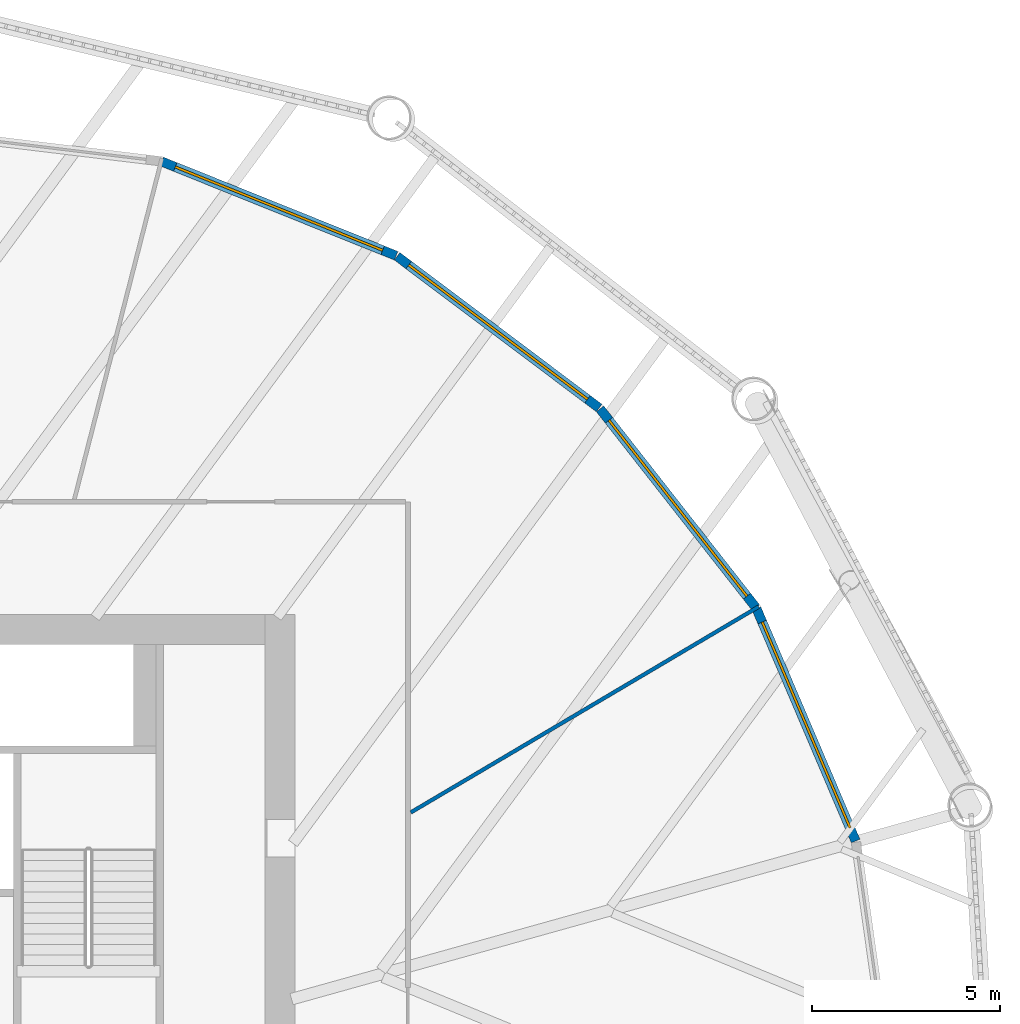
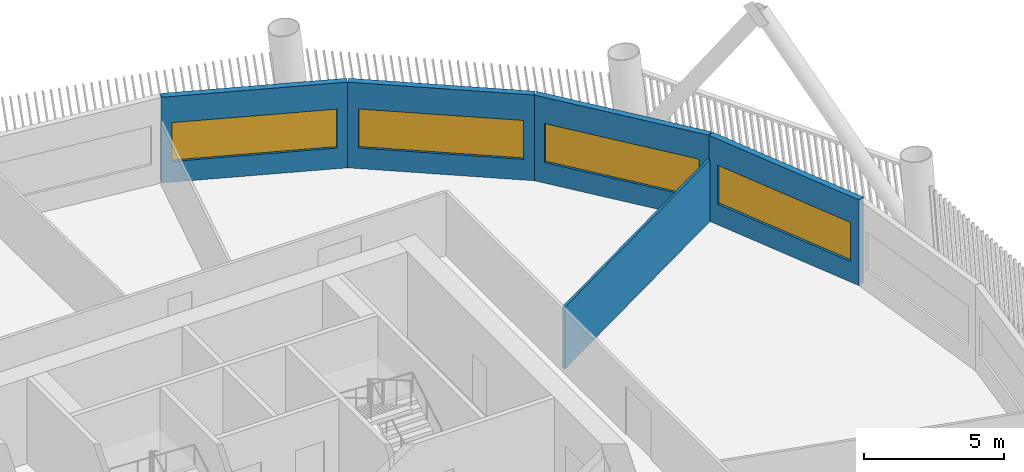
# One storey, part 8 of 23: 5 walls, 4 windows, 4 openings.
"""IFC4 building model written with IfcOpenShell, lengths in metres."""

import ifcopenshell
import ifcopenshell.guid

model = None  # the IFC model being written
_history = None  # IfcOwnerHistory: only IFC2X3 demands one
_inside = {}  # id of a spatial element -> (the spatial element, [elements in it])
_under = {}  # id of a project, library or spatial element -> (it, [spatial elements below it])
_declared = {}  # id of a project -> (the project, [libraries it declares])
_typed = {}  # id of a type object -> (the type object, [elements of that type])
_made_of = {}  # id of a material, layer set ... -> (it, [elements and type objects made of it])


def new_model(schema):
    """Start an empty IFC model of exactly this schema.

    Asked for "IFC4X3", IfcOpenShell would pick the latest addendum, in which some entities
    have other attributes; the version numbers below select the first issue.
    IFC2X3 requires an IfcOwnerHistory on every rooted entity: one is made here for all.
    """
    global model, _history
    if schema == "IFC4X3":
        model = ifcopenshell.file(schema_version=(4, 3, 0, 0))
    else:
        model = ifcopenshell.file(schema=schema)
    _inside.clear()
    _under.clear()
    _declared.clear()
    _typed.clear()
    _made_of.clear()
    _history = None
    if model.schema == "IFC2X3":
        org = make("IfcOrganization", Name="unknown")
        user = make(
            "IfcPersonAndOrganization",
            ThePerson=make("IfcPerson", FamilyName="unknown"),
            TheOrganization=org,
        )
        app = make(
            "IfcApplication",
            ApplicationDeveloper=org,
            Version="unknown",
            ApplicationFullName="unknown",
            ApplicationIdentifier="unknown",
        )
        _history = make(
            "IfcOwnerHistory",
            OwningUser=user,
            OwningApplication=app,
            ChangeAction="ADDED",
            CreationDate=0,
        )
    return model


def make(cls, **values):
    """One entity of the class cls with the attributes given. An attribute that is None is left unset."""
    return model.create_entity(
        cls, **{name: value for name, value in values.items() if value is not None}
    )


def rooted(cls, **values):
    """An entity with a GlobalId (a new one), such as an element, a storey or a relation."""
    return make(cls, GlobalId=ifcopenshell.guid.new(), OwnerHistory=_history, **values)


def si_unit(unit_type, name, prefix=None):
    """IfcSIUnit, for example si_unit("LENGTHUNIT", "METRE", prefix="MILLI")."""
    return make("IfcSIUnit", UnitType=unit_type, Prefix=prefix, Name=name)


def assignment(units):
    """IfcUnitAssignment: the units of a project."""
    return None if units is None else make("IfcUnitAssignment", Units=units)


def point(xyz):
    """IfcCartesianPoint."""
    return None if xyz is None else make("IfcCartesianPoint", Coordinates=xyz)


def direction(xyz):
    """IfcDirection."""
    return None if xyz is None else make("IfcDirection", DirectionRatios=xyz)


def frame(location, z_axis=None, x_axis=None):
    """IfcAxis2Placement3D, a coordinate frame: its origin and axes. An axis left out is left unset."""
    return make(
        "IfcAxis2Placement3D",
        Location=point(location),
        Axis=direction(z_axis),
        RefDirection=direction(x_axis),
    )


def frame_2d(location, x_axis=None):
    """IfcAxis2Placement2D, a coordinate frame in the plane: its origin and x axis."""
    return make(
        "IfcAxis2Placement2D", Location=point(location), RefDirection=direction(x_axis)
    )


def origin():
    """The frame at (0, 0, 0) with its axes left unset."""
    return frame((0.0, 0.0, 0.0))


def place(relative_to, where):
    """IfcLocalPlacement: puts the frame where relative to a parent placement (None: the world)."""
    return make(
        "IfcLocalPlacement", PlacementRelTo=relative_to, RelativePlacement=where
    )


def context(
    kind, dimensions, precision=None, world=None, true_north=None, identifier=None
):
    """IfcGeometricRepresentationContext, for example the 3D "Model" context."""
    return make(
        "IfcGeometricRepresentationContext",
        ContextIdentifier=identifier,
        ContextType=kind,
        CoordinateSpaceDimension=dimensions,
        Precision=precision,
        WorldCoordinateSystem=world,
        TrueNorth=true_north,
    )


def subcontext(parent, identifier, kind, view, scale=None):
    """IfcGeometricRepresentationSubContext, for example "Body" below "Model"."""
    return make(
        "IfcGeometricRepresentationSubContext",
        ContextIdentifier=identifier,
        ContextType=kind,
        ParentContext=parent,
        TargetScale=scale,
        TargetView=view,
    )


def project(units=None, contexts=None):
    """IfcProject with its units and contexts."""
    return rooted(
        "IfcProject",
        Name="project",
        RepresentationContexts=contexts,
        UnitsInContext=assignment(units),
    )


def spatial(cls, under=None, at=None, **own):
    """A site, building, storey or space (cls), placed at a placement, below another one or the project."""
    s = rooted(cls, ObjectPlacement=at, **own)
    if under is not None:
        _under.setdefault(under.id(), (under, []))[1].append(s)
    return s


def profile(cls, at=None, kind="AREA", **sizes):
    """A parametric profile (cls). Its sizes go by their IFC names, for example OverallWidth=200.0."""
    return make(cls, ProfileType=kind, Position=at, **sizes)


def rectangle(**sizes):
    """IfcRectangleProfileDef."""
    return profile("IfcRectangleProfileDef", **sizes)


def extrude(swept, where, along, depth):
    """IfcExtrudedAreaSolid: the profile swept, set in the frame where, extruded along a direction by depth."""
    return make(
        "IfcExtrudedAreaSolid",
        SweptArea=swept,
        Position=where,
        ExtrudedDirection=direction(along),
        Depth=depth,
    )


def shape(context_of_items, identifier, shape_type, items):
    """IfcShapeRepresentation: the items that make up one representation, for example the "Body"."""
    return make(
        "IfcShapeRepresentation",
        ContextOfItems=context_of_items,
        RepresentationIdentifier=identifier,
        RepresentationType=shape_type,
        Items=items,
    )


def material(Name=None, Category=None):
    """IfcMaterial."""
    return make("IfcMaterial", Name=Name, Category=Category)


def layer(
    of_material, thickness, ventilated=None, Name=None, Category=None, Priority=None
):
    """IfcMaterialLayer: one layer of a wall or slab, of a material (None: an air gap)."""
    return make(
        "IfcMaterialLayer",
        Material=of_material,
        LayerThickness=thickness,
        IsVentilated=ventilated,
        Name=Name,
        Category=Category,
        Priority=Priority,
    )


def layer_set(layers, Name=None):
    """IfcMaterialLayerSet."""
    return make("IfcMaterialLayerSet", MaterialLayers=layers, LayerSetName=Name)


def made_of(thing, what):
    """Note that an element or type object is made of a material, layer set ...; save() writes the relation."""
    if what is not None:
        _made_of.setdefault(what.id(), (what, []))[1].append(thing)
    return thing


def type_object(cls, material=None, **own):
    """A type object (cls), such as IfcWallType, which elements share."""
    return made_of(rooted(cls, **own), material)


def element(
    cls,
    number,
    at=None,
    inside=None,
    cuts=None,
    type_object=None,
    material=None,
    context=None,
    identifier="Body",
    shape_type=None,
    held_by="IfcProductDefinitionShape",
    body=None,
    shapes=None,
    **own,
):
    """One element of the class cls, such as IfcWall. Its Tag is "e" and its number.

    at: its placement. inside: the storey or other place that contains it. cuts: it is an
    opening in that element (IfcRelVoidsElement). A single representation is given by context,
    identifier, shape_type and body (its items); several are given by shapes. held_by: the class
    of the entity that holds the representations. save() writes the other relations.
    """
    e = rooted(cls, Tag="e%d" % number, ObjectPlacement=at, **own)
    if body is not None:
        shapes = [shape(context, identifier, shape_type, body)]
    if shapes is not None:
        e.Representation = make(held_by, Representations=shapes)
    if inside is not None:
        _inside.setdefault(inside.id(), (inside, []))[1].append(e)
    if cuts is not None:
        rooted(
            "IfcRelVoidsElement", RelatingBuildingElement=cuts, RelatedOpeningElement=e
        )
    if type_object is not None:
        _typed.setdefault(type_object.id(), (type_object, []))[1].append(e)
    return made_of(e, material)


def fill(opening, filler):
    """IfcRelFillsElement: the door or window that sits in an opening."""
    return rooted(
        "IfcRelFillsElement",
        RelatingOpeningElement=opening,
        RelatedBuildingElement=filler,
    )


def aggregate(whole, parts):
    """IfcRelAggregates: a whole, such as a stair, and the parts it consists of."""
    return rooted("IfcRelAggregates", RelatingObject=whole, RelatedObjects=parts)


def save(model, path):
    """Write the relations noted so far, then the file.

    IfcRelAggregates (storeys below a building ...), IfcRelContainedInSpatialStructure (elements
    in a storey), IfcRelDefinesByType, IfcRelAssociatesMaterial and IfcRelDeclares: one each for
    every whole, place, type object, material and project.
    """
    for whole, parts in _under.values():
        aggregate(whole, parts)
    for where, things in _inside.values():
        rooted(
            "IfcRelContainedInSpatialStructure",
            RelatedElements=things,
            RelatingStructure=where,
        )
    for kind, things in _typed.values():
        rooted("IfcRelDefinesByType", RelatedObjects=things, RelatingType=kind)
    for what, things in _made_of.values():
        rooted("IfcRelAssociatesMaterial", RelatedObjects=things, RelatingMaterial=what)
    for by, libraries in _declared.values():
        rooted("IfcRelDeclares", RelatingContext=by, RelatedDefinitions=libraries)
    model.write(path)


model = new_model("IFC4")

# Units and contexts
model_context = context("Model", 3, precision=1e-05, world=origin(), true_north=direction((0.0, 1.0)))
body_context = subcontext(model_context, "Body", "Model", "MODEL_VIEW")
ifc_project = project(units=[si_unit("LENGTHUNIT", "METRE"), si_unit("AREAUNIT", "SQUARE_METRE"), si_unit("VOLUMEUNIT", "CUBIC_METRE"), si_unit("PLANEANGLEUNIT", "RADIAN"), si_unit("MASSUNIT", "GRAM", prefix="KILO")], contexts=[model_context])

# Site, building, storey
site_placement = place(None, origin())
site = spatial("IfcSite", under=ifc_project, at=site_placement, CompositionType="ELEMENT")
building_placement = place(site_placement, origin())
building = spatial("IfcBuilding", under=site, at=building_placement, Name="Tarsis Ring Headquarters", CompositionType="ELEMENT")
storey_placement = place(building_placement, frame((0.0, 0.0, 124.0)))
storey = spatial("IfcBuildingStorey", under=building, at=storey_placement, Name="L28", CompositionType="ELEMENT", Elevation=124.0)

# Wall
ifc_material_1 = material(Name="Gypsum board on steel studs", Category="steel")
ifc_layer_1 = layer(ifc_material_1, 0.10009765625)
ifc_layer_set_1 = layer_set([ifc_layer_1], Name="FL partition 100 unrated")
wall_type_1 = type_object("IfcWallType", Name="FL partition 100 unrated", PredefinedType="PARTITIONING", material=ifc_layer_set_1)
wall_1_placement = place(storey_placement, frame((13.077392578125, 7.73388671875, 0.0), z_axis=(0.0, 0.0, 1.0), x_axis=(0.860742537154, 0.509040553133, 0.0)))
element("IfcWall", 1, at=wall_1_placement, inside=storey, type_object=wall_type_1, Name="Partition PW3", PredefinedType="PARTITIONING", context=body_context, shape_type="SweptSolid", body=[
    extrude(rectangle(XDim=10.7548828125, YDim=0.10009765625, at=frame_2d((5.37744140625, 0.0))), origin(), (0.0, 0.0, 1.0), 2.699951171875),
])

# Wall, opening, window
ifc_material_2 = material(Name="Terracotta clad insulated panel wall", Category="masonry")
ifc_layer_2 = layer(ifc_material_2, 0.25)
ifc_layer_set_2 = layer_set([ifc_layer_2], Name="Facade wall terracotta panel 250")
wall_type_2 = type_object("IfcWallType", Name="Facade wall terracotta panel 250", PredefinedType="STANDARD", material=ifc_layer_set_2)
wall_2_placement = place(storey_placement, frame((24.914306640625, 6.97314453125, 0.0), z_axis=(0.0, 0.0, 1.0), x_axis=(-0.392318635752, 0.919829379853, 0.0)))
wall_2 = element("IfcWall", 2, at=wall_2_placement, inside=storey, type_object=wall_type_2, Name="External wall L28-24", PredefinedType="STANDARD", context=body_context, shape_type="SweptSolid", body=[
    extrude(rectangle(XDim=6.721435546875, YDim=0.25, at=frame_2d((3.36083984375, 0.0))), origin(), (0.0, 0.0, 1.0), 3.739990234375),
])
opening_1_placement = place(wall_2_placement, frame((0.3857421875, 0.0, 0.89990234375)))
opening_1 = element("IfcOpeningElement", 3, at=opening_1_placement, cuts=wall_2, Name="Opening WN07", PredefinedType="OPENING", context=body_context, shape_type="SweptSolid", body=[
    extrude(rectangle(XDim=5.949951171875, YDim=1.699951171875, at=frame_2d((2.97509765625, 0.85009765625))), frame((0.0, 0.135009765625, 0.0), z_axis=(0.0, -1.0, 0.0), x_axis=(1.0, 0.0, 0.0)), (0.0, 0.0, 1.0), 0.27001953125),
])
ifc_material_3 = material(Name="Aluminium framed double glazing", Category="aluminium")
window_type = type_object("IfcWindowType", Name="Facade window 5950 x 1700", PartitioningType="SINGLE_PANEL", PredefinedType="WINDOW", material=ifc_material_3)
window_1_placement = place(opening_1_placement, origin())
window_1 = element("IfcWindow", 4, at=window_1_placement, inside=storey, type_object=window_type, Name="Window L28-24.1", OverallHeight=1.699951171875, OverallWidth=5.949951171875, PartitioningType="SINGLE_PANEL", PredefinedType="WINDOW", context=body_context, shape_type="SweptSolid", body=[
    extrude(rectangle(XDim=5.949951171875, YDim=1.699951171875, at=frame_2d((2.97509765625, 0.85009765625))), frame((0.0, 0.030029296875, 0.0), z_axis=(0.0, -1.0, 0.0), x_axis=(1.0, 0.0, 0.0)), (0.0, 0.0, 1.0), 0.06005859375),
])
fill(opening_1, window_1)

wall_3_placement = place(storey_placement, frame((22.260498046875, 13.183837890625, 0.0), z_axis=(0.0, 0.0, 1.0), x_axis=(-0.617023955027, 0.786944368379, 0.0)))
wall_3 = element("IfcWall", 5, at=wall_3_placement, inside=storey, type_object=wall_type_2, Name="External wall L28-25", PredefinedType="STANDARD", context=body_context, shape_type="SweptSolid", body=[
    extrude(rectangle(XDim=6.721435546875, YDim=0.25, at=frame_2d((3.36083984375, 0.0))), origin(), (0.0, 0.0, 1.0), 3.739990234375),
])
opening_2_placement = place(wall_3_placement, frame((0.3857421875, 0.0, 0.89990234375)))
opening_2 = element("IfcOpeningElement", 6, at=opening_2_placement, cuts=wall_3, Name="Opening WN07", PredefinedType="OPENING", context=body_context, shape_type="SweptSolid", body=[
    extrude(rectangle(XDim=5.949951171875, YDim=1.699951171875, at=frame_2d((2.97509765625, 0.85009765625))), frame((0.0, 0.135009765625, 0.0), z_axis=(0.0, -1.0, 0.0), x_axis=(1.0, 0.0, 0.0)), (0.0, 0.0, 1.0), 0.27001953125),
])
window_2_placement = place(opening_2_placement, origin())
window_2 = element("IfcWindow", 7, at=window_2_placement, inside=storey, type_object=window_type, Name="Window L28-25.1", OverallHeight=1.699951171875, OverallWidth=5.949951171875, PartitioningType="SINGLE_PANEL", PredefinedType="WINDOW", context=body_context, shape_type="SweptSolid", body=[
    extrude(rectangle(XDim=5.949951171875, YDim=1.699951171875, at=frame_2d((2.97509765625, 0.85009765625))), frame((0.0, 0.030029296875, 0.0), z_axis=(0.0, -1.0, 0.0), x_axis=(1.0, 0.0, 0.0)), (0.0, 0.0, 1.0), 0.06005859375),
])
fill(opening_2, window_2)

wall_4_placement = place(storey_placement, frame((18.08984375, 18.49609375, 0.0), z_axis=(0.0, 0.0, 1.0), x_axis=(-0.799686060282, 0.600418358306, 0.0)))
wall_4 = element("IfcWall", 8, at=wall_4_placement, inside=storey, type_object=wall_type_2, Name="External wall L28-26", PredefinedType="STANDARD", context=body_context, shape_type="SweptSolid", body=[
    extrude(rectangle(XDim=6.721435546875, YDim=0.25, at=frame_2d((3.36083984375, 0.0))), origin(), (0.0, 0.0, 1.0), 3.739990234375),
])
opening_3_placement = place(wall_4_placement, frame((0.3857421875, 0.0, 0.89990234375)))
opening_3 = element("IfcOpeningElement", 9, at=opening_3_placement, cuts=wall_4, Name="Opening WN07", PredefinedType="OPENING", context=body_context, shape_type="SweptSolid", body=[
    extrude(rectangle(XDim=5.949951171875, YDim=1.699951171875, at=frame_2d((2.97509765625, 0.85009765625))), frame((0.0, 0.135009765625, 0.0), z_axis=(0.0, -1.0, 0.0), x_axis=(1.0, 0.0, 0.0)), (0.0, 0.0, 1.0), 0.27001953125),
])
window_3_placement = place(opening_3_placement, origin())
window_3 = element("IfcWindow", 10, at=window_3_placement, inside=storey, type_object=window_type, Name="Window L28-26.1", OverallHeight=1.699951171875, OverallWidth=5.949951171875, PartitioningType="SINGLE_PANEL", PredefinedType="WINDOW", context=body_context, shape_type="SweptSolid", body=[
    extrude(rectangle(XDim=5.949951171875, YDim=1.699951171875, at=frame_2d((2.97509765625, 0.85009765625))), frame((0.0, 0.030029296875, 0.0), z_axis=(0.0, -1.0, 0.0), x_axis=(1.0, 0.0, 0.0)), (0.0, 0.0, 1.0), 0.06005859375),
])
fill(opening_3, window_3)

wall_5_placement = place(storey_placement, frame((12.686279296875, 22.5478515625, 0.0), z_axis=(0.0, 0.0, 1.0), x_axis=(-0.927831504262, 0.37299959745, 0.0)))
wall_5 = element("IfcWall", 11, at=wall_5_placement, inside=storey, type_object=wall_type_2, Name="External wall L28-27", PredefinedType="STANDARD", context=body_context, shape_type="SweptSolid", body=[
    extrude(rectangle(XDim=6.721435546875, YDim=0.25, at=frame_2d((3.36083984375, 0.0))), origin(), (0.0, 0.0, 1.0), 3.739990234375),
])
opening_4_placement = place(wall_5_placement, frame((0.3857421875, 0.0, 0.89990234375)))
opening_4 = element("IfcOpeningElement", 12, at=opening_4_placement, cuts=wall_5, Name="Opening WN07", PredefinedType="OPENING", context=body_context, shape_type="SweptSolid", body=[
    extrude(rectangle(XDim=5.949951171875, YDim=1.699951171875, at=frame_2d((2.97509765625, 0.85009765625))), frame((0.0, 0.135009765625, 0.0), z_axis=(0.0, -1.0, 0.0), x_axis=(1.0, 0.0, 0.0)), (0.0, 0.0, 1.0), 0.27001953125),
])
window_4_placement = place(opening_4_placement, origin())
window_4 = element("IfcWindow", 13, at=window_4_placement, inside=storey, type_object=window_type, Name="Window L28-27.1", OverallHeight=1.699951171875, OverallWidth=5.949951171875, PartitioningType="SINGLE_PANEL", PredefinedType="WINDOW", context=body_context, shape_type="SweptSolid", body=[
    extrude(rectangle(XDim=5.949951171875, YDim=1.699951171875, at=frame_2d((2.97509765625, 0.85009765625))), frame((0.0, 0.030029296875, 0.0), z_axis=(0.0, -1.0, 0.0), x_axis=(1.0, 0.0, 0.0)), (0.0, 0.0, 1.0), 0.06005859375),
])
fill(opening_4, window_4)

save(model, "model.ifc")
